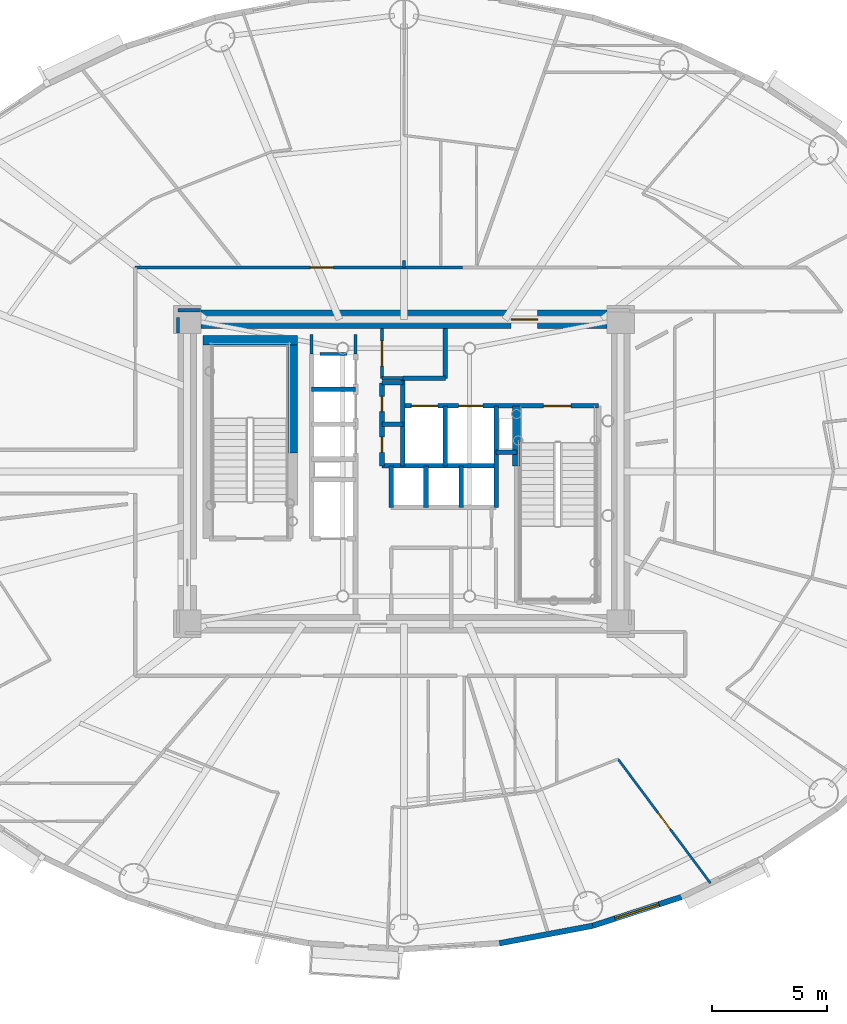
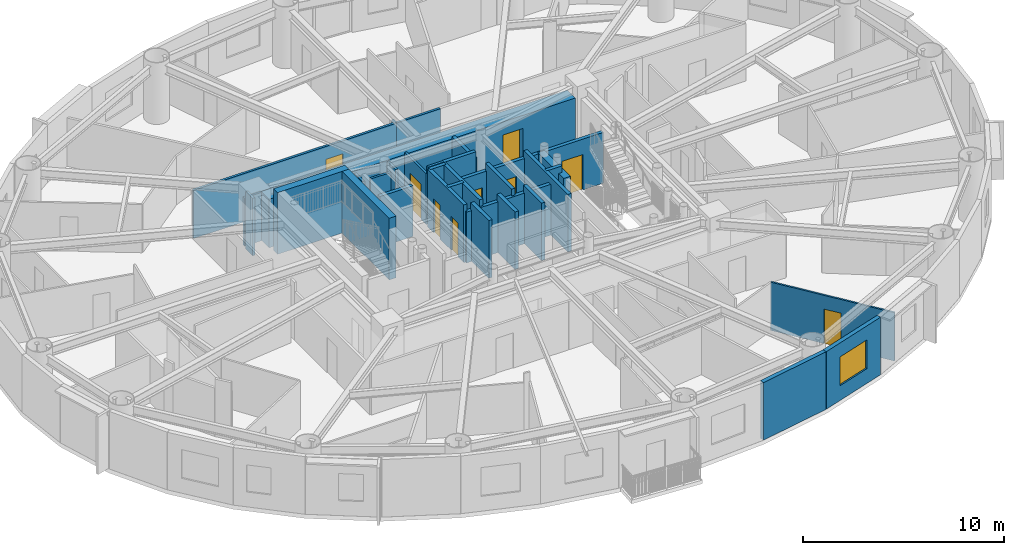
# One storey, part 8 of 18: 32 walls, 9 doors, 1 window, 10 openings.
"""IFC4 building model written with IfcOpenShell, lengths in metres."""

from ifc_helpers import new_model, si_unit, direction, frame, frame_2d, origin, origin_2d, place, context, subcontext, project, spatial, rectangle, extrude, source, transform, mapped, material, layer, layer_set, type_object, element, fill, save


model = new_model("IFC4")

# Units and contexts
model_context = context("Model", 3, precision=1e-05, world=origin(), true_north=direction((0.0, 1.0)))
body_context = subcontext(model_context, "Body", "Model", "MODEL_VIEW")
ifc_project = project(units=[si_unit("LENGTHUNIT", "METRE"), si_unit("AREAUNIT", "SQUARE_METRE"), si_unit("VOLUMEUNIT", "CUBIC_METRE"), si_unit("PLANEANGLEUNIT", "RADIAN"), si_unit("MASSUNIT", "GRAM", prefix="KILO")], contexts=[model_context])

# Site, building, storey
site_placement = place(None, origin())
site = spatial("IfcSite", under=ifc_project, at=site_placement, CompositionType="ELEMENT")
building_placement = place(site_placement, origin())
building = spatial("IfcBuilding", under=site, at=building_placement, Name="Linh Dai School and Residence Tower", CompositionType="ELEMENT")
storey_placement = place(building_placement, frame((0.0, 0.0, 178.64990234375)))
storey = spatial("IfcBuildingStorey", under=building, at=storey_placement, Name="L43", CompositionType="ELEMENT", Elevation=178.64990234375)

# Wall
ifc_material_1 = material(Name="Precast Concrete B45 (C35/45)", Category="concrete")
ifc_layer_1 = layer(ifc_material_1, 0.239990234375)
ifc_layer_set_1 = layer_set([ifc_layer_1], Name="Precast Concrete B45 (C35/45)")
wall_type_1 = type_object("IfcWallType", Name="EW-TC-240", PredefinedType="SOLIDWALL", material=ifc_layer_set_1)
wall_1_placement = place(storey_placement, frame((44.18896484375, 7.310546875, 0.0), z_axis=(0.0, 0.0, 1.0), x_axis=(-0.982788108205, -0.184736391573, 0.0)))
element("IfcWall", 1, at=wall_1_placement, inside=storey, type_object=wall_type_1, Name="L43 Terracotta Exterior Wall 32", PredefinedType="SOLIDWALL", context=body_context, shape_type="SweptSolid", body=[
    extrude(rectangle(XDim=4.114013671875, YDim=0.239990234375, at=frame_2d((2.05712890625, 0.0))), origin(), (0.0, 0.0, 1.0), 3.5),
])

# Wall, opening, window
wall_2_placement = place(storey_placement, frame((48.02978515625, 8.556396484375, 0.0), z_axis=(0.0, 0.0, 1.0), x_axis=(-0.951209870236, -0.30854462038, 0.0)))
wall_2 = element("IfcWall", 2, at=wall_2_placement, inside=storey, type_object=wall_type_1, Name="L43 Terracotta Exterior Wall 33", PredefinedType="SOLIDWALL", context=body_context, shape_type="SweptSolid", body=[
    extrude(rectangle(XDim=4.037841796875, YDim=0.239990234375, at=frame_2d((2.01904296875, 0.0))), origin(), (0.0, 0.0, 1.0), 3.5),
])
opening_1_placement = place(wall_2_placement, frame((1.01904296875, 0.0, 0.89990234375)))
opening_1 = element("IfcOpeningElement", 3, at=opening_1_placement, cuts=wall_2, Name="Opening W1", PredefinedType="OPENING", context=body_context, shape_type="SweptSolid", body=[
    extrude(rectangle(XDim=2.0, YDim=1.75, at=origin_2d()), frame((1.0, 0.1298828125, 0.875), z_axis=(0.0, -1.0, 0.0), x_axis=(1.0, 0.0, 0.0)), (0.0, 0.0, 1.0), 0.260009765625),
])
ifc_material_2 = material(Name="Double Low-E Insulated Glazing", Category="glass")
window_type = type_object("IfcWindowType", Name="WN-RES-2000x1750", PartitioningType="DOUBLE_PANEL_VERTICAL", PredefinedType="WINDOW", material=ifc_material_2)
shared_shape_1 = source(origin(), body_context, "Body", "SweptSolid", [
    extrude(rectangle(XDim=2.0, YDim=1.75, at=origin_2d()), frame((1.0, 0.030029296875, 0.875), z_axis=(0.0, -1.0, 0.0), x_axis=(1.0, 0.0, 0.0)), (0.0, 0.0, 1.0), 0.06005859375),
])
window_placement = place(opening_1_placement, origin())
window = element("IfcWindow", 4, at=window_placement, inside=storey, type_object=window_type, Name="L43 Exterior Window 33.1", OverallHeight=1.75, OverallWidth=2.0, PartitioningType="DOUBLE_PANEL_VERTICAL", PredefinedType="WINDOW", context=body_context, shape_type="MappedRepresentation", body=[
    mapped(shared_shape_1, transform((0.0, 0.0, 0.0), x_axis=(1.0, 0.0, 0.0), y_axis=(0.0, 1.0, 0.0), z_axis=(0.0, 0.0, 1.0), scale=1.0)),
])
fill(opening_1, window)

# Wall, opening, door
ifc_material_3 = material(Name="Autoclaved Aerated Concrete Blockwork", Category="masonry")
ifc_layer_2 = layer(ifc_material_3, 0.135009765625)
ifc_layer_set_2 = layer_set([ifc_layer_2], Name="Autoclaved Aerated Concrete Blockwork")
wall_type_2 = type_object("IfcWallType", Name="IW-CORR-135-EI90", PredefinedType="PARTITIONING", material=ifc_layer_set_2)
wall_3_placement = place(storey_placement, frame((24.35009765625, 35.85009765625, 0.0), z_axis=(0.0, 0.0, 1.0), x_axis=(1.0, 0.0, 0.0)))
wall_3 = element("IfcWall", 5, at=wall_3_placement, inside=storey, type_object=wall_type_2, Name="L43 Interior Partition Wall 024", PredefinedType="PARTITIONING", context=body_context, shape_type="SweptSolid", body=[
    extrude(rectangle(XDim=11.654052734375, YDim=0.135009765625, at=frame_2d((5.8271484375, 0.0))), origin(), (0.0, 0.0, 1.0), 2.93505859375),
])
opening_2_placement = place(wall_3_placement, frame((7.59228515625, 0.0, 0.0)))
opening_2 = element("IfcOpeningElement", 6, at=opening_2_placement, cuts=wall_3, Name="Opening D03", PredefinedType="OPENING", context=body_context, shape_type="SweptSolid", body=[
    extrude(rectangle(XDim=1.0, YDim=2.14990234375, at=origin_2d()), frame((0.5, 0.07763671875, 1.074951171875), z_axis=(0.0, -1.0, 0.0), x_axis=(1.0, 0.0, 0.0)), (0.0, 0.0, 1.0), 0.155029296875),
])
ifc_material_4 = material(Name="Fire-Rated Solid Timber Entrance Door", Category="wood")
door_type_1 = type_object("IfcDoorType", Name="DR-FLAT-1000x2150-FD60S", OperationType="NOTDEFINED", PredefinedType="DOOR", material=ifc_material_4)
shared_shape_2 = source(origin(), body_context, "Body", "SweptSolid", [
    extrude(rectangle(XDim=1.0, YDim=2.14990234375, at=origin_2d()), frame((0.5, 0.02490234375, 1.074951171875), z_axis=(0.0, -1.0, 0.0), x_axis=(1.0, 0.0, 0.0)), (0.0, 0.0, 1.0), 0.050048828125),
])
door_1_placement = place(opening_2_placement, origin())
door_1 = element("IfcDoor", 7, at=door_1_placement, inside=storey, type_object=door_type_1, Name="L43 U4302 Apartment Entrance Door", OperationType="SINGLE_SWING_RIGHT", OverallHeight=2.14990234375, OverallWidth=1.0, PredefinedType="DOOR", context=body_context, shape_type="MappedRepresentation", body=[
    mapped(shared_shape_2, transform((0.0, 0.0, 0.0), x_axis=(1.0, 0.0, 0.0), y_axis=(0.0, 1.0, 0.0), z_axis=(0.0, 0.0, 1.0), scale=1.0)),
])
fill(opening_2, door_1)

wall_4_placement = place(storey_placement, frame((35.050048828125, 31.050048828125, 0.0), z_axis=(0.0, 0.0, 1.0), x_axis=(0.0, 1.0, 0.0)))
wall_4 = element("IfcWall", 8, at=wall_4_placement, inside=storey, type_object=wall_type_2, Name="L43 Interior Partition Wall 044", PredefinedType="PARTITIONING", context=body_context, shape_type="SweptSolid", body=[
    extrude(rectangle(XDim=2.14990234375, YDim=0.135009765625, at=frame_2d((1.074951171875, 0.0))), origin(), (0.0, 0.0, 1.0), 3.085205078125),
])
opening_3_placement = place(wall_4_placement, frame((0.52490234375, 0.0, 0.0)))
opening_3 = element("IfcOpeningElement", 9, at=opening_3_placement, cuts=wall_4, Name="Opening D07", PredefinedType="OPENING", context=body_context, shape_type="SweptSolid", body=[
    extrude(rectangle(XDim=1.10009765625, YDim=2.14990234375, at=origin_2d()), frame((0.550048828125, 0.07763671875, 1.074951171875), z_axis=(0.0, -1.0, 0.0), x_axis=(1.0, 0.0, 0.0)), (0.0, 0.0, 1.0), 0.155029296875),
])
ifc_material_5 = material(Name="Fire-Rated Louvred Steel Plant Door", Category="steel")
door_type_2 = type_object("IfcDoorType", Name="DR-PLT-1100x2150-FD60S", OperationType="NOTDEFINED", PredefinedType="DOOR", material=ifc_material_5)
shared_shape_3 = source(origin(), body_context, "Body", "SweptSolid", [
    extrude(rectangle(XDim=1.10009765625, YDim=2.14990234375, at=origin_2d()), frame((0.550048828125, 0.02490234375, 1.074951171875), z_axis=(0.0, -1.0, 0.0), x_axis=(1.0, 0.0, 0.0)), (0.0, 0.0, 1.0), 0.050048828125),
])
door_2_placement = place(opening_3_placement, origin())
door_2 = element("IfcDoor", 10, at=door_2_placement, inside=storey, type_object=door_type_2, Name="L43 North BMS Switchroom Door", OperationType="SINGLE_SWING_LEFT", OverallHeight=2.14990234375, OverallWidth=1.10009765625, PredefinedType="DOOR", context=body_context, shape_type="MappedRepresentation", body=[
    mapped(shared_shape_3, transform((0.0, 0.0, 0.0), x_axis=(1.0, 0.0, 0.0), y_axis=(0.0, 1.0, 0.0), z_axis=(0.0, 0.0, 1.0), scale=1.0)),
])
fill(opening_3, door_2)

# Walls
wall_5_placement = place(storey_placement, frame((35.050048828125, 31.050048828125, 0.0), z_axis=(0.0, 0.0, 1.0), x_axis=(1.0, 0.0, 0.0)))
element("IfcWall", 11, at=wall_5_placement, inside=storey, type_object=wall_type_2, Name="L43 Interior Partition Wall 045", PredefinedType="PARTITIONING", context=body_context, shape_type="SweptSolid", body=[
    extrude(rectangle(XDim=0.89990234375, YDim=0.135009765625, at=frame_2d((0.449951171875, 0.0))), origin(), (0.0, 0.0, 1.0), 3.5),
])
wall_6_placement = place(storey_placement, frame((32.360107421875, 32.10009765625, 0.0), z_axis=(0.0, 0.0, 1.0), x_axis=(1.0, 0.0, 0.0)))
element("IfcWall", 12, at=wall_6_placement, inside=storey, type_object=wall_type_2, Name="L43 Interior Partition Wall 103", PredefinedType="PARTITIONING", context=body_context, shape_type="SweptSolid", body=[
    extrude(rectangle(XDim=1.179931640625, YDim=0.135009765625, at=frame_2d((0.58984375, 0.0))), origin(), (0.0, 0.0, 1.0), 3.085205078125),
])
wall_7_placement = place(storey_placement, frame((32.0, 32.93994140625, 0.0), z_axis=(0.0, 0.0, 1.0), x_axis=(0.0, -1.0, 0.0)))
element("IfcWall", 13, at=wall_7_placement, inside=storey, type_object=wall_type_2, Name="L43 Interior Partition Wall 105", PredefinedType="PARTITIONING", context=body_context, shape_type="SweptSolid", body=[
    extrude(rectangle(XDim=0.829833984375, YDim=0.135009765625, at=frame_2d((0.4150390625, 0.0))), origin(), (0.0, 0.0, 1.0), 3.03515625),
])
wall_8_placement = place(storey_placement, frame((33.89990234375, 32.110107421875, 0.0), z_axis=(0.0, 0.0, 1.0), x_axis=(0.0, 1.0, 0.0)))
element("IfcWall", 14, at=wall_8_placement, inside=storey, type_object=wall_type_2, Name="L43 Interior Partition Wall 106", PredefinedType="PARTITIONING", context=body_context, shape_type="SweptSolid", body=[
    extrude(rectangle(XDim=0.829833984375, YDim=0.135009765625, at=frame_2d((0.4150390625, 0.0))), origin(), (0.0, 0.0, 1.0), 3.085205078125),
])
wall_9_placement = place(storey_placement, frame((36.01416015625, 35.85009765625, 0.0), z_axis=(0.0, 0.0, 1.0), x_axis=(1.0, 0.0, 0.0)))
element("IfcWall", 15, at=wall_9_placement, inside=storey, type_object=wall_type_2, Name="L43 Interior Partition Wall 108", PredefinedType="PARTITIONING", context=body_context, shape_type="SweptSolid", body=[
    extrude(rectangle(XDim=2.51708984375, YDim=0.135009765625, at=frame_2d((1.258544921875, 0.0))), origin(), (0.0, 0.0, 1.0), 2.93505859375),
])
wall_10_placement = place(storey_placement, frame((27.18994140625, 34.0, 0.0), z_axis=(0.0, 0.0, 1.0), x_axis=(-1.0, 0.0, 0.0)))
element("IfcWall", 16, at=wall_10_placement, inside=storey, type_object=wall_type_2, Name="L43 Interior Partition Wall 111", PredefinedType="PARTITIONING", context=body_context, shape_type="SweptSolid", body=[
    extrude(rectangle(XDim=0.989990234375, YDim=0.135009765625, at=frame_2d((0.4951171875, 0.0))), origin(), (0.0, 0.0, 1.0), 2.93505859375),
])
wall_11_placement = place(storey_placement, frame((26.199951171875, 33.6923828125, 0.0), z_axis=(0.0, 0.0, 1.0), x_axis=(0.0, -1.0, 0.0)))
element("IfcWall", 17, at=wall_11_placement, inside=storey, type_object=wall_type_2, Name="L43 Interior Partition Wall 112", PredefinedType="PARTITIONING", context=body_context, shape_type="SweptSolid", body=[
    extrude(rectangle(XDim=0.682373046875, YDim=0.135009765625, at=frame_2d((0.34130859375, 0.0))), origin(), (0.0, 0.0, 1.0), 3.5),
])
wall_12_placement = place(storey_placement, frame((36.004150390625, 36.164794921875, 0.0), z_axis=(0.0, 0.0, 1.0), x_axis=(0.0, -1.0, 0.0)))
element("IfcWall", 18, at=wall_12_placement, inside=storey, type_object=wall_type_2, Name="L43 Interior Partition Wall 119", PredefinedType="PARTITIONING", context=body_context, shape_type="SweptSolid", body=[
    extrude(rectangle(XDim=0.314697265625, YDim=0.135009765625, at=frame_2d((0.1572265625, 0.0))), origin(), (0.0, 0.0, 1.0), 2.93505859375),
])
ifc_material_6 = material(Name="Concrete B45 (C35/45)", Category="concrete")
ifc_layer_3 = layer(ifc_material_6, 0.199951171875)
ifc_layer_set_3 = layer_set([ifc_layer_3], Name="Concrete B45 (C35/45)")
wall_type_3 = type_object("IfcWallType", Name="IW-SHAFT-200-EI120", PredefinedType="PARTITIONING", material=ifc_layer_set_3)
wall_13_placement = place(storey_placement, frame((32.0, 30.580078125, 0.0), z_axis=(0.0, 0.0, 1.0), x_axis=(1.0, 0.0, 0.0)))
element("IfcWall", 19, at=wall_13_placement, inside=storey, type_object=wall_type_3, Name="L43 Interior Partition Wall 038", PredefinedType="PARTITIONING", context=body_context, shape_type="SweptSolid", body=[
    extrude(rectangle(XDim=1.89990234375, YDim=0.199951171875, at=frame_2d((0.949951171875, 0.0))), origin(), (0.0, 0.0, 1.0), 3.085205078125),
])

# Wall, openings, doors
wall_14_placement = place(storey_placement, frame((35.050048828125, 27.25, 0.0), z_axis=(0.0, 0.0, 1.0), x_axis=(0.0, 1.0, 0.0)))
wall_14 = element("IfcWall", 20, at=wall_14_placement, inside=storey, type_object=wall_type_3, Name="L43 Interior Partition Wall 040", PredefinedType="PARTITIONING", context=body_context, shape_type="SweptSolid", body=[
    extrude(rectangle(XDim=3.60009765625, YDim=0.199951171875, at=frame_2d((1.800048828125, 0.0))), origin(), (0.0, 0.0, 1.0), 3.5),
])
opening_4_placement = place(wall_14_placement, frame((0.590087890625, 0.0, 0.0)))
opening_4 = element("IfcOpeningElement", 21, at=opening_4_placement, cuts=wall_14, Name="Opening AD1", PredefinedType="OPENING", context=body_context, shape_type="SweptSolid", body=[
    extrude(rectangle(XDim=0.659912109375, YDim=2.050048828125, at=origin_2d()), frame((0.330078125, 0.10986328125, 1.02490234375), z_axis=(0.0, -1.0, 0.0), x_axis=(1.0, 0.0, 0.0)), (0.0, 0.0, 1.0), 0.219970703125),
])
opening_5_placement = place(wall_14_placement, frame((2.35009765625, 0.0, 0.0)))
opening_5 = element("IfcOpeningElement", 22, at=opening_5_placement, cuts=wall_14, Name="Opening AD1", PredefinedType="OPENING", context=body_context, shape_type="SweptSolid", body=[
    extrude(rectangle(XDim=0.659912109375, YDim=2.050048828125, at=origin_2d()), frame((0.330078125, 0.10986328125, 1.02490234375), z_axis=(0.0, -1.0, 0.0), x_axis=(1.0, 0.0, 0.0)), (0.0, 0.0, 1.0), 0.219970703125),
])
ifc_material_7 = material(Name="Fire-Rated Steel Riser Access Door", Category="steel")
door_type_3 = type_object("IfcDoorType", Name="DR-ACC-660x2050-FD90S", OperationType="NOTDEFINED", PredefinedType="USERDEFINED", material=ifc_material_7)
shared_shape_4 = source(origin(), body_context, "Body", "SweptSolid", [
    extrude(rectangle(XDim=0.659912109375, YDim=2.050048828125, at=origin_2d()), frame((0.330078125, 0.02490234375, 1.02490234375), z_axis=(0.0, -1.0, 0.0), x_axis=(1.0, 0.0, 0.0)), (0.0, 0.0, 1.0), 0.050048828125),
])
door_3_placement = place(opening_4_placement, origin())
door_3 = element("IfcDoor", 23, at=door_3_placement, inside=storey, type_object=door_type_3, Name="L43 Telecom and Data Riser Access Door", ObjectType="ACCESS DOOR", OperationType="SINGLE_SWING_LEFT", OverallHeight=2.050048828125, OverallWidth=0.659912109375, PredefinedType="USERDEFINED", context=body_context, shape_type="MappedRepresentation", body=[
    mapped(shared_shape_4, transform((0.0, 0.0, 0.0), x_axis=(1.0, 0.0, 0.0), y_axis=(0.0, 1.0, 0.0), z_axis=(0.0, 0.0, 1.0), scale=1.0)),
])
fill(opening_4, door_3)
door_4_placement = place(opening_5_placement, origin())
door_4 = element("IfcDoor", 24, at=door_4_placement, inside=storey, type_object=door_type_3, Name="L43 Mechanical and Plumbing Riser Access Door", ObjectType="ACCESS DOOR", OperationType="SINGLE_SWING_RIGHT", OverallHeight=2.050048828125, OverallWidth=0.659912109375, PredefinedType="USERDEFINED", context=body_context, shape_type="MappedRepresentation", body=[
    mapped(shared_shape_4, transform((0.0, 0.0, 0.0), x_axis=(1.0, 0.0, 0.0), y_axis=(0.0, 1.0, 0.0), z_axis=(0.0, 0.0, 1.0), scale=1.0)),
])
fill(opening_5, door_4)

# Walls
wall_15_placement = place(storey_placement, frame((35.050048828125, 27.25, 0.0), z_axis=(0.0, 0.0, 1.0), x_axis=(1.0, 0.0, 0.0)))
element("IfcWall", 25, at=wall_15_placement, inside=storey, type_object=wall_type_3, Name="L43 Interior Partition Wall 041", PredefinedType="PARTITIONING", context=body_context, shape_type="SweptSolid", body=[
    extrude(rectangle(XDim=4.949951171875, YDim=0.199951171875, at=frame_2d((2.47509765625, 0.0))), origin(), (0.0, 0.0, 1.0), 3.085205078125),
])
for number, where, z_axis, x_axis, name in (
    (26, (35.050048828125, 29.050048828125, 0.0), (0.0, 0.0, 1.0), (1.0, 0.0, 0.0), "L43 Interior Partition Wall 042"),
    (27, (35.050048828125, 30.85009765625, 0.0), (0.0, 0.0, 1.0), (1.0, 0.0, 0.0), "L43 Interior Partition Wall 043"),
):
    element("IfcWall", number, at=place(storey_placement, frame(where, z_axis=z_axis, x_axis=x_axis)), inside=storey, type_object=wall_type_3, Name=name, PredefinedType="PARTITIONING", context=body_context, shape_type="SweptSolid", body=[
        extrude(rectangle(XDim=0.89990234375, YDim=0.199951171875, at=frame_2d((0.449951171875, 0.0))), origin(), (0.0, 0.0, 1.0), 3.5),
    ])
wall_16_placement = place(storey_placement, frame((35.449951171875, 25.449951171875, 0.0), z_axis=(0.0, 0.0, 1.0), x_axis=(0.0, 1.0, 0.0)))
element("IfcWall", 28, at=wall_16_placement, inside=storey, type_object=wall_type_3, Name="L43 Interior Partition Wall 049", PredefinedType="PARTITIONING", context=body_context, shape_type="SweptSolid", body=[
    extrude(rectangle(XDim=1.800048828125, YDim=0.199951171875, at=frame_2d((0.89990234375, 0.0))), origin(), (0.0, 0.0, 1.0), 3.5),
])
wall_17_placement = place(storey_placement, frame((35.949951171875, 27.25, 0.0), z_axis=(0.0, 0.0, 1.0), x_axis=(0.0, 1.0, 0.0)))
element("IfcWall", 29, at=wall_17_placement, inside=storey, type_object=wall_type_3, Name="L43 Interior Partition Wall 052", PredefinedType="PARTITIONING", context=body_context, shape_type="SweptSolid", body=[
    extrude(rectangle(XDim=3.800048828125, YDim=0.199951171875, at=frame_2d((1.89990234375, 0.0))), origin(), (0.0, 0.0, 1.0), 3.5),
])

# Wall, openings, doors
wall_18_placement = place(storey_placement, frame((35.949951171875, 29.85009765625, 0.0), z_axis=(0.0, 0.0, 1.0), x_axis=(1.0, 0.0, 0.0)))
wall_18 = element("IfcWall", 30, at=wall_18_placement, inside=storey, type_object=wall_type_3, Name="L43 Interior Partition Wall 053", PredefinedType="PARTITIONING", context=body_context, shape_type="SweptSolid", body=[
    extrude(rectangle(XDim=8.489990234375, YDim=0.199951171875, at=frame_2d((4.2451171875, 0.0))), origin(), (0.0, 0.0, 1.0), 3.085205078125),
])
opening_6_placement = place(wall_18_placement, frame((6.10009765625, 0.0, 0.0)))
opening_6 = element("IfcOpeningElement", 31, at=opening_6_placement, cuts=wall_18, Name="Opening D01", PredefinedType="OPENING", context=body_context, shape_type="SweptSolid", body=[
    extrude(rectangle(XDim=1.199951171875, YDim=2.14990234375, at=origin_2d()), frame((0.60009765625, 0.10986328125, 1.074951171875), z_axis=(0.0, -1.0, 0.0), x_axis=(1.0, 0.0, 0.0)), (0.0, 0.0, 1.0), 0.219970703125),
])
opening_7_placement = place(wall_18_placement, frame((0.3701171875, 0.0, 0.0)))
opening_7 = element("IfcOpeningElement", 32, at=opening_7_placement, cuts=wall_18, Name="Opening LD-FF1", PredefinedType="OPENING", context=body_context, shape_type="SweptSolid", body=[
    extrude(rectangle(XDim=1.14990234375, YDim=2.14990234375, at=origin_2d()), frame((0.574951171875, 0.10986328125, 1.074951171875), z_axis=(0.0, -1.0, 0.0), x_axis=(1.0, 0.0, 0.0)), (0.0, 0.0, 1.0), 0.219970703125),
])
opening_8_placement = place(wall_18_placement, frame((2.425048828125, 0.0, 0.0)))
opening_8 = element("IfcOpeningElement", 33, at=opening_8_placement, cuts=wall_18, Name="Opening LD-SV1", PredefinedType="OPENING", context=body_context, shape_type="SweptSolid", body=[
    extrude(rectangle(XDim=1.050048828125, YDim=2.14990234375, at=origin_2d()), frame((0.52490234375, 0.10986328125, 1.074951171875), z_axis=(0.0, -1.0, 0.0), x_axis=(1.0, 0.0, 0.0)), (0.0, 0.0, 1.0), 0.219970703125),
])
ifc_material_8 = material(Name="Fire-Rated Steel Door Leaf", Category="steel")
door_type_4 = type_object("IfcDoorType", Name="DR-STAIR-1200x2150-FD90S", OperationType="NOTDEFINED", PredefinedType="DOOR", material=ifc_material_8)
shared_shape_5 = source(origin(), body_context, "Body", "SweptSolid", [
    extrude(rectangle(XDim=1.199951171875, YDim=2.14990234375, at=origin_2d()), frame((0.60009765625, 0.02490234375, 1.074951171875), z_axis=(0.0, -1.0, 0.0), x_axis=(1.0, 0.0, 0.0)), (0.0, 0.0, 1.0), 0.050048828125),
])
door_5_placement = place(opening_6_placement, origin())
door_5 = element("IfcDoor", 34, at=door_5_placement, inside=storey, type_object=door_type_4, Name="L43 Core Smokeproof Exit Stair ST2 Door", OperationType="SINGLE_SWING_LEFT", OverallHeight=2.14990234375, OverallWidth=1.199951171875, PredefinedType="DOOR", context=body_context, shape_type="MappedRepresentation", body=[
    mapped(shared_shape_5, transform((0.0, 0.0, 0.0), x_axis=(1.0, 0.0, 0.0), y_axis=(0.0, 1.0, 0.0), z_axis=(0.0, 0.0, 1.0), scale=1.0)),
])
fill(opening_6, door_5)
ifc_material_9 = material(Name="Fire-Rated Stainless Steel Firefighting Lift Door", Category="steel")
door_type_5 = type_object("IfcDoorType", Name="DR-LD-FF-1150x2150-FD120", OperationType="DOUBLE_DOOR_SLIDING", PredefinedType="USERDEFINED", material=ifc_material_9)
shared_shape_6 = source(origin(), body_context, "Body", "SweptSolid", [
    extrude(rectangle(XDim=1.14990234375, YDim=2.14990234375, at=origin_2d()), frame((0.574951171875, 0.02490234375, 1.074951171875), z_axis=(0.0, -1.0, 0.0), x_axis=(1.0, 0.0, 0.0)), (0.0, 0.0, 1.0), 0.050048828125),
])
door_6_placement = place(opening_7_placement, origin())
door_6 = element("IfcDoor", 35, at=door_6_placement, inside=storey, type_object=door_type_5, Name="L43 Lift FF1 Sliding Landing Door", ObjectType="LANDING DOOR", OperationType="DOUBLE_DOOR_SLIDING", OverallHeight=2.14990234375, OverallWidth=1.14990234375, PredefinedType="USERDEFINED", context=body_context, shape_type="MappedRepresentation", body=[
    mapped(shared_shape_6, transform((0.0, 0.0, 0.0), x_axis=(1.0, 0.0, 0.0), y_axis=(0.0, 1.0, 0.0), z_axis=(0.0, 0.0, 1.0), scale=1.0)),
])
fill(opening_7, door_6)
ifc_material_10 = material(Name="Brushed Stainless Steel Lift Landing Door", Category="steel")
door_type_6 = type_object("IfcDoorType", Name="DR-LD-PASS-1050x2150", OperationType="DOUBLE_DOOR_SLIDING", PredefinedType="USERDEFINED", material=ifc_material_10)
shared_shape_7 = source(origin(), body_context, "Body", "SweptSolid", [
    extrude(rectangle(XDim=1.050048828125, YDim=2.14990234375, at=origin_2d()), frame((0.52490234375, 0.02490234375, 1.074951171875), z_axis=(0.0, -1.0, 0.0), x_axis=(1.0, 0.0, 0.0)), (0.0, 0.0, 1.0), 0.050048828125),
])
door_7_placement = place(opening_8_placement, origin())
door_7 = element("IfcDoor", 36, at=door_7_placement, inside=storey, type_object=door_type_6, Name="L43 Lift SV1 Sliding Landing Door", ObjectType="LANDING DOOR", OperationType="DOUBLE_DOOR_SLIDING", OverallHeight=2.14990234375, OverallWidth=1.050048828125, PredefinedType="USERDEFINED", context=body_context, shape_type="MappedRepresentation", body=[
    mapped(shared_shape_7, transform((0.0, 0.0, 0.0), x_axis=(1.0, 0.0, 0.0), y_axis=(0.0, 1.0, 0.0), z_axis=(0.0, 0.0, 1.0), scale=1.0)),
])
fill(opening_8, door_7)

# Walls
wall_19_placement = place(storey_placement, frame((35.9599609375, 31.050048828125, 0.0), z_axis=(0.0, 0.0, 1.0), x_axis=(1.0, 0.0, 0.0)))
element("IfcWall", 37, at=wall_19_placement, inside=storey, type_object=wall_type_3, Name="L43 Interior Partition Wall 054", PredefinedType="PARTITIONING", context=body_context, shape_type="SweptSolid", body=[
    extrude(rectangle(XDim=1.840087890625, YDim=0.199951171875, at=frame_2d((0.919921875, 0.0))), origin(), (0.0, 0.0, 1.0), 3.5),
])
wall_20_placement = place(storey_placement, frame((36.9599609375, 25.449951171875, 0.0), z_axis=(0.0, 0.0, 1.0), x_axis=(0.0, 1.0, 0.0)))
element("IfcWall", 38, at=wall_20_placement, inside=storey, type_object=wall_type_3, Name="L43 Interior Partition Wall 058", PredefinedType="PARTITIONING", context=body_context, shape_type="SweptSolid", body=[
    extrude(rectangle(XDim=1.800048828125, YDim=0.199951171875, at=frame_2d((0.89990234375, 0.0))), origin(), (0.0, 0.0, 1.0), 3.5),
])
wall_21_placement = place(storey_placement, frame((37.800048828125, 27.25, 0.0), z_axis=(0.0, 0.0, 1.0), x_axis=(0.0, 1.0, 0.0)))
element("IfcWall", 39, at=wall_21_placement, inside=storey, type_object=wall_type_3, Name="L43 Interior Partition Wall 061", PredefinedType="PARTITIONING", context=body_context, shape_type="SweptSolid", body=[
    extrude(rectangle(XDim=2.60009765625, YDim=0.199951171875, at=frame_2d((1.300048828125, 0.0))), origin(), (0.0, 0.0, 1.0), 3.5),
])
wall_22_placement = place(storey_placement, frame((37.800048828125, 31.050048828125, 0.0), z_axis=(0.0, 0.0, 1.0), x_axis=(0.0, 1.0, 0.0)))
element("IfcWall", 40, at=wall_22_placement, inside=storey, type_object=wall_type_3, Name="L43 Interior Partition Wall 062", PredefinedType="PARTITIONING", context=body_context, shape_type="SweptSolid", body=[
    extrude(rectangle(XDim=2.14990234375, YDim=0.199951171875, at=frame_2d((1.074951171875, 0.0))), origin(), (0.0, 0.0, 1.0), 3.085205078125),
])
wall_23_placement = place(storey_placement, frame((38.47998046875, 25.449951171875, 0.0), z_axis=(0.0, 0.0, 1.0), x_axis=(0.0, 1.0, 0.0)))
element("IfcWall", 41, at=wall_23_placement, inside=storey, type_object=wall_type_3, Name="L43 Interior Partition Wall 064", PredefinedType="PARTITIONING", context=body_context, shape_type="SweptSolid", body=[
    extrude(rectangle(XDim=1.800048828125, YDim=0.199951171875, at=frame_2d((0.89990234375, 0.0))), origin(), (0.0, 0.0, 1.0), 3.5),
])
wall_24_placement = place(storey_placement, frame((40.0, 25.449951171875, 0.0), z_axis=(0.0, 0.0, 1.0), x_axis=(0.0, 1.0, 0.0)))
element("IfcWall", 42, at=wall_24_placement, inside=storey, type_object=wall_type_3, Name="L43 Interior Partition Wall 072", PredefinedType="PARTITIONING", context=body_context, shape_type="SweptSolid", body=[
    extrude(rectangle(XDim=4.400146484375, YDim=0.199951171875, at=frame_2d((2.2001953125, 0.0))), origin(), (0.0, 0.0, 1.0), 3.5),
])
wall_25_placement = place(storey_placement, frame((40.0, 27.85009765625, 0.0), z_axis=(0.0, 0.0, 1.0), x_axis=(1.0, 0.0, 0.0)))
element("IfcWall", 43, at=wall_25_placement, inside=storey, type_object=wall_type_3, Name="L43 Interior Partition Wall 073", PredefinedType="PARTITIONING", context=body_context, shape_type="SweptSolid", body=[
    extrude(rectangle(XDim=0.89990234375, YDim=0.199951171875, at=frame_2d((0.449951171875, 0.0))), origin(), (0.0, 0.0, 1.0), 3.5),
])

# Wall, opening, door
ifc_material_11 = material(Name="Gypsum Plasterboard Acoustic Stud Partition", Category="masonry")
ifc_layer_4 = layer(ifc_material_11, 0.10009765625)
ifc_layer_set_4 = layer_set([ifc_layer_4], Name="Gypsum Plasterboard Acoustic Stud Partition")
wall_type_4 = type_object("IfcWallType", Name="IW-UNIT-100", PredefinedType="PARTITIONING", material=ifc_layer_set_4)
wall_26_placement = place(storey_placement, frame((45.28173828125, 14.540283203125, 0.0), z_axis=(0.0, 0.0, 1.0), x_axis=(0.597407497301, -0.801937829366, 0.0)))
wall_26 = element("IfcWall", 44, at=wall_26_placement, inside=storey, type_object=wall_type_4, Name="L43 Interior Partition Wall 082", PredefinedType="PARTITIONING", context=body_context, shape_type="SweptSolid", body=[
    extrude(rectangle(XDim=6.713134765625, YDim=0.10009765625, at=frame_2d((3.3564453125, 0.0))), origin(), (0.0, 0.0, 1.0), 2.93505859375),
])
opening_9_placement = place(wall_26_placement, frame((2.906494140625, 0.0, 0.0)))
opening_9 = element("IfcOpeningElement", 45, at=opening_9_placement, cuts=wall_26, Name="Opening D05", PredefinedType="OPENING", context=body_context, shape_type="SweptSolid", body=[
    extrude(rectangle(XDim=0.89990234375, YDim=2.10009765625, at=origin_2d()), frame((0.449951171875, 0.06005859375, 1.050048828125), z_axis=(0.0, -1.0, 0.0), x_axis=(1.0, 0.0, 0.0)), (0.0, 0.0, 1.0), 0.1201171875),
])
ifc_material_12 = material(Name="Engineered Timber Internal Door", Category="wood")
door_type_7 = type_object("IfcDoorType", Name="DR-INT-900x2100", OperationType="NOTDEFINED", PredefinedType="DOOR", material=ifc_material_12)
shared_shape_8 = source(origin(), body_context, "Body", "SweptSolid", [
    extrude(rectangle(XDim=0.89990234375, YDim=2.10009765625, at=origin_2d()), frame((0.449951171875, 0.02490234375, 1.050048828125), z_axis=(0.0, -1.0, 0.0), x_axis=(1.0, 0.0, 0.0)), (0.0, 0.0, 1.0), 0.050048828125),
])
door_8_placement = place(opening_9_placement, origin())
door_8 = element("IfcDoor", 46, at=door_8_placement, inside=storey, type_object=door_type_7, Name="L43 Apartment U4306 Principal Bedroom 1 Door", OperationType="SINGLE_SWING_RIGHT", OverallHeight=2.10009765625, OverallWidth=0.89990234375, PredefinedType="DOOR", context=body_context, shape_type="MappedRepresentation", body=[
    mapped(shared_shape_8, transform((0.0, 0.0, 0.0), x_axis=(1.0, 0.0, 0.0), y_axis=(0.0, 1.0, 0.0), z_axis=(0.0, 0.0, 1.0), scale=1.0)),
])
fill(opening_9, door_8)

# Walls
ifc_layer_5 = layer(ifc_material_6, 0.39990234375)
ifc_layer_set_5 = layer_set([ifc_layer_5], Name="Concrete B45 (C35/45)")
wall_type_5 = type_object("IfcWallType", Name="WL-CORE400", PredefinedType="SHEAR", material=ifc_layer_set_5)
wall_27_placement = place(storey_placement, frame((31.179931640625, 27.800048828125, 0.0), z_axis=(0.0, 0.0, 1.0), x_axis=(0.0, 1.0, 0.0)))
element("IfcWall", 47, at=wall_27_placement, inside=storey, type_object=wall_type_5, Name="L43 Core Stair ST1 Bearing Wall E", PredefinedType="SHEAR", context=body_context, shape_type="SweptSolid", body=[
    extrude(rectangle(XDim=4.89990234375, YDim=0.39990234375, at=frame_2d((2.449951171875, 0.0))), origin(), (0.0, 0.0, 1.0), 3.75),
])
wall_28_placement = place(storey_placement, frame((27.280029296875, 32.699951171875, 0.0), z_axis=(0.0, 0.0, 1.0), x_axis=(1.0, 0.0, 0.0)))
element("IfcWall", 48, at=wall_28_placement, inside=storey, type_object=wall_type_5, Name="L43 Core Stair ST1 Bearing Wall N", PredefinedType="SHEAR", context=body_context, shape_type="SweptSolid", body=[
    extrude(rectangle(XDim=4.099853515625, YDim=0.39990234375, at=frame_2d((2.0498046875, 0.0))), origin(), (0.0, 0.0, 1.0), 3.75),
])
wall_29_placement = place(storey_placement, frame((40.89990234375, 27.25, 0.0), z_axis=(0.0, 0.0, 1.0), x_axis=(0.0, 1.0, 0.0)))
element("IfcWall", 49, at=wall_29_placement, inside=storey, type_object=wall_type_5, Name="L43 Internal Core Shear Wall IE", PredefinedType="SHEAR", context=body_context, shape_type="SweptSolid", body=[
    extrude(rectangle(XDim=2.60009765625, YDim=0.39990234375, at=frame_2d((1.300048828125, 0.0))), origin(), (0.0, 0.0, 1.0), 3.10009765625),
])

# Wall, opening, door
ifc_material_13 = material(Name="Concrete B60 (C50/60)", Category="concrete")
ifc_layer_6 = layer(ifc_material_13, 0.800048828125)
ifc_layer_set_6 = layer_set([ifc_layer_6], Name="Concrete B60 (C50/60)")
wall_type_6 = type_object("IfcWallType", Name="WL-CORE800", PredefinedType="SHEAR", material=ifc_layer_set_6)
wall_30_placement = place(storey_placement, frame((27.199951171875, 33.60009765625, 0.0), z_axis=(0.0, 0.0, 1.0), x_axis=(1.0, 0.0, 0.0)))
wall_30 = element("IfcWall", 50, at=wall_30_placement, inside=storey, type_object=wall_type_6, Name="L43 Central Core Shear Wall N", PredefinedType="SHEAR", context=body_context, shape_type="SweptSolid", body=[
    extrude(rectangle(XDim=17.60009765625, YDim=0.800048828125, at=frame_2d((8.800048828125, 0.0))), origin(), (0.0, 0.0, 1.0), 2.9501953125),
])
opening_10_placement = place(wall_30_placement, frame((13.449951171875, 0.0, 0.0)))
opening_10 = element("IfcOpeningElement", 51, at=opening_10_placement, cuts=wall_30, Name="Opening D02", PredefinedType="OPENING", context=body_context, shape_type="SweptSolid", body=[
    extrude(rectangle(XDim=1.14990234375, YDim=2.14990234375, at=origin_2d()), frame((0.574951171875, 0.41015625, 1.074951171875), z_axis=(0.0, -1.0, 0.0), x_axis=(1.0, 0.0, 0.0)), (0.0, 0.0, 1.0), 0.820068359375),
])
ifc_material_14 = material(Name="Fire-Rated Glazed Steel Lobby Door", Category="steel")
door_type_8 = type_object("IfcDoorType", Name="DR-LOBBY-1150x2150-FD90S", OperationType="NOTDEFINED", PredefinedType="DOOR", material=ifc_material_14)
shared_shape_9 = source(origin(), body_context, "Body", "SweptSolid", [
    extrude(rectangle(XDim=1.14990234375, YDim=2.14990234375, at=origin_2d()), frame((0.574951171875, 0.02490234375, 1.074951171875), z_axis=(0.0, -1.0, 0.0), x_axis=(1.0, 0.0, 0.0)), (0.0, 0.0, 1.0), 0.050048828125),
])
door_9_placement = place(opening_10_placement, origin())
door_9 = element("IfcDoor", 52, at=door_9_placement, inside=storey, type_object=door_type_8, Name="L43 Firefighting Lobby Door", OperationType="SINGLE_SWING_RIGHT", OverallHeight=2.14990234375, OverallWidth=1.14990234375, PredefinedType="DOOR", context=body_context, shape_type="MappedRepresentation", body=[
    mapped(shared_shape_9, transform((0.0, 0.0, 0.0), x_axis=(1.0, 0.0, 0.0), y_axis=(0.0, 1.0, 0.0), z_axis=(0.0, 0.0, 1.0), scale=1.0)),
])
fill(opening_10, door_9)

save(model, "model.ifc")
